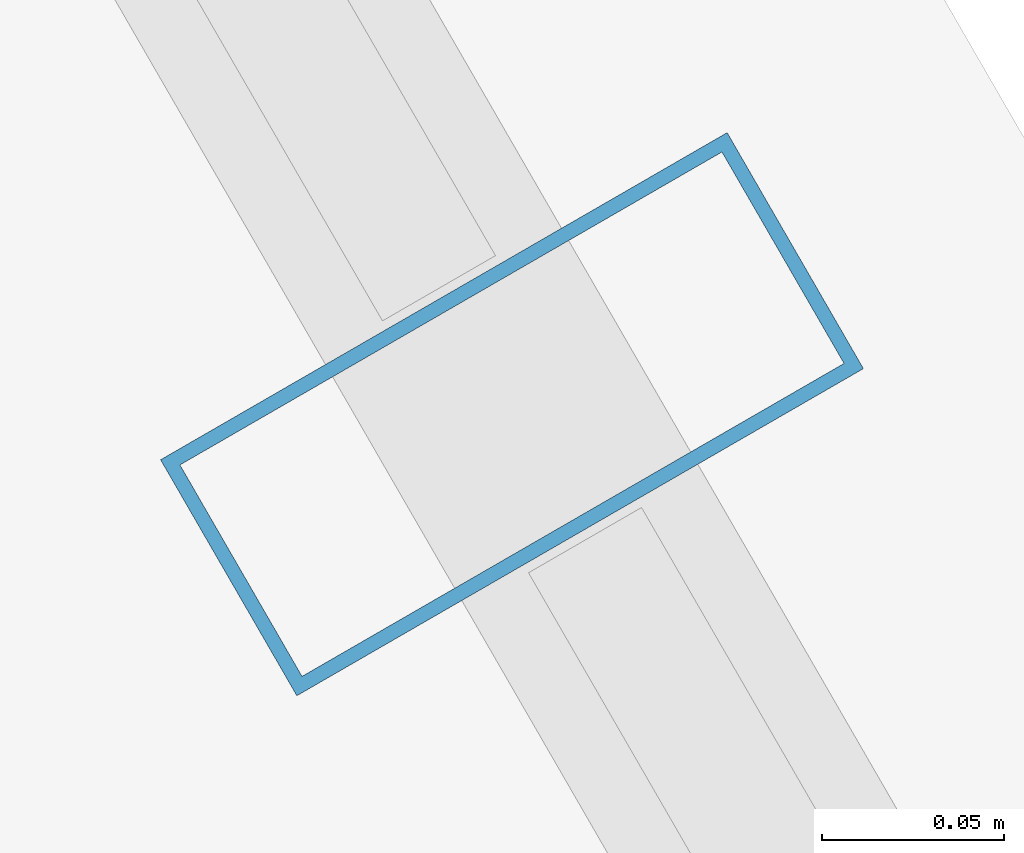
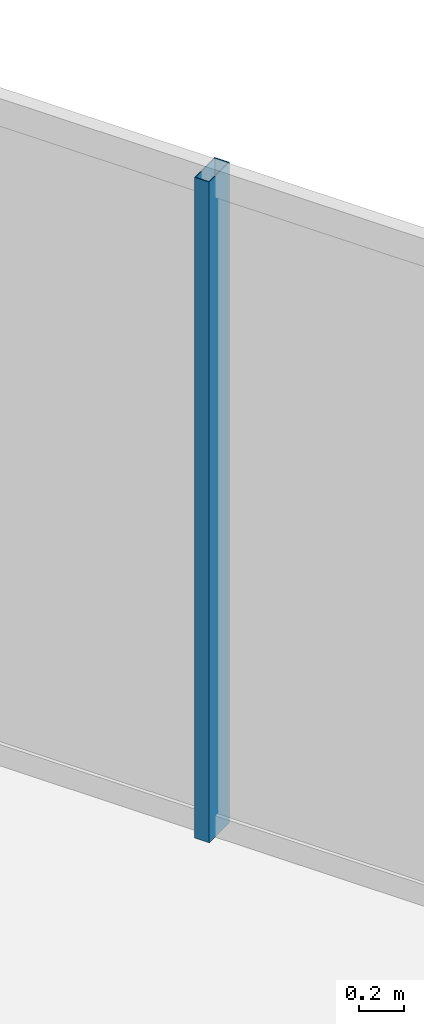
# One storey, part 17 of 33: 1 member, 1 element without a shape of its own.
"""IFC4 building model written with IfcOpenShell, lengths in metres."""

from ifc_helpers import new_model, si_unit, direction, frame, origin, origin_2d, place, context, subcontext, project, spatial, hollow_rectangle, extrude, material, layer, layer_set, material_profile, profile_set, type_object, element, aggregate, save


model = new_model("IFC4")

# Units and contexts
model_context = context("Model", 3, precision=1e-05, world=origin(), true_north=direction((0.0, 1.0)))
body_context = subcontext(model_context, "Body", "Model", "MODEL_VIEW")
ifc_project = project(units=[si_unit("LENGTHUNIT", "METRE"), si_unit("AREAUNIT", "SQUARE_METRE"), si_unit("VOLUMEUNIT", "CUBIC_METRE"), si_unit("PLANEANGLEUNIT", "RADIAN"), si_unit("MASSUNIT", "GRAM", prefix="KILO")], contexts=[model_context])

# Site, building, storey
site_placement = place(None, origin())
site = spatial("IfcSite", under=ifc_project, at=site_placement, CompositionType="ELEMENT")
building_placement = place(site_placement, origin())
building = spatial("IfcBuilding", under=site, at=building_placement, Name="Ndaravel Arena Tower", CompositionType="ELEMENT")
storey_placement = place(building_placement, frame((0.0, 0.0, 187.800048828125)))
storey = spatial("IfcBuildingStorey", under=building, at=storey_placement, Name="L45", CompositionType="ELEMENT", Elevation=187.800048828125)

# Curtain wall, member
ifc_material_1 = material(Name="Aluminium", Category="aluminium")
ifc_layer = layer(ifc_material_1, 0.179931640625)
ifc_layer_set = layer_set([ifc_layer], Name="Aluminium")
curtain_wall_type = type_object("IfcCurtainWallType", Name="CW-SYS-03", PredefinedType="NOTDEFINED", material=ifc_layer_set)
curtain_wall_placement = place(storey_placement, origin())
curtain_wall = element("IfcCurtainWall", 1, at=curtain_wall_placement, inside=storey, type_object=curtain_wall_type, Name="L45 Faceted Crystal Curtain Wall CW-L45-E03", PredefinedType="NOTDEFINED")
ifc_material_2 = material(Name="Aluminium", Category="aluminium")
ifc_material_profile = material_profile(ifc_material_2, hollow_rectangle(XDim=0.074951171875, YDim=0.179931640625, WallThickness=0.00390625, at=origin_2d()), Name="CW MULLION 75x180x4")
ifc_profile_set = profile_set([ifc_material_profile], Name="Aluminium")
member_type = type_object("IfcMemberType", Name="MEM-CW-MUL180", PredefinedType="MULLION", material=ifc_profile_set)
member_placement = place(storey_placement, frame((59.409912109375, 24.337158203125, 0.0), z_axis=(0.0, 0.0, 1.0), x_axis=(-0.5, 0.866025403784, 0.0)))
member = element("IfcMember", 2, at=member_placement, type_object=member_type, Name="CW-L45-E03 Mullion 03", PredefinedType="MULLION", context=body_context, shape_type="SweptSolid", body=[
    extrude(hollow_rectangle(XDim=0.074951171875, YDim=0.179931640625, WallThickness=0.00390625, at=origin_2d()), origin(), (0.0, 0.0, 1.0), 3.579833984375),
])
aggregate(curtain_wall, [member])

save(model, "model.ifc")
